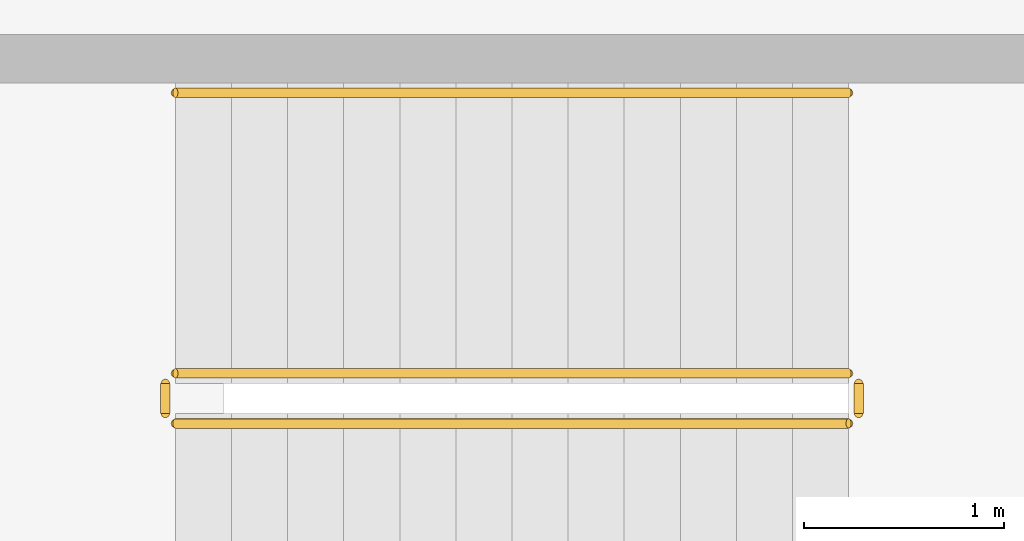
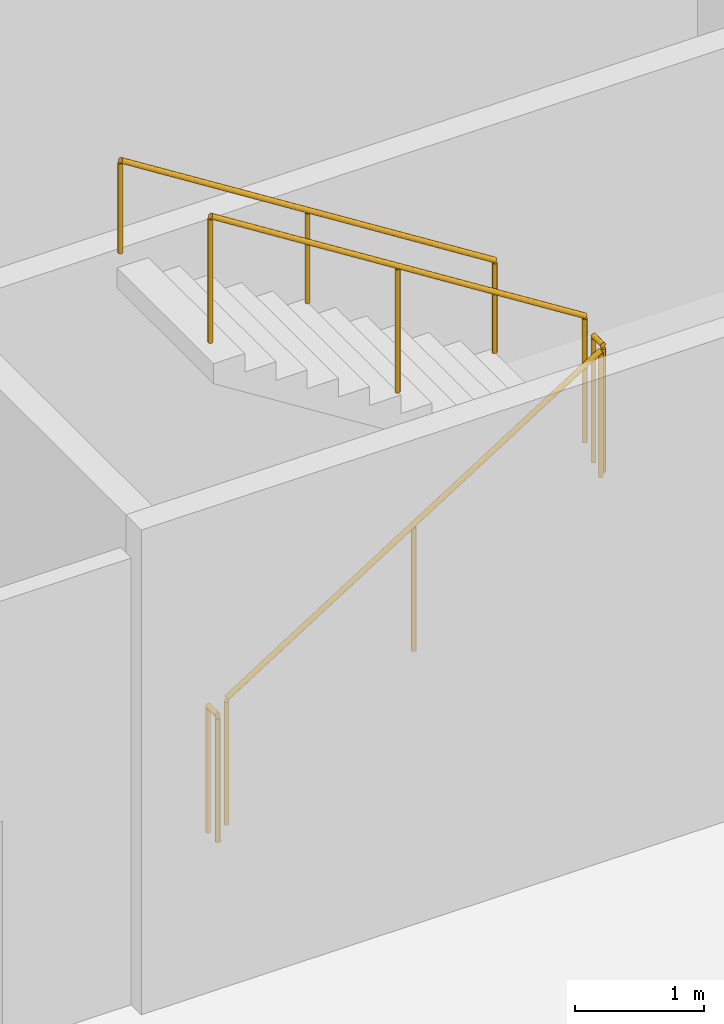
# One storey, part 7 of 8: 5 railings.
"""IFC4 building model written with IfcOpenShell, lengths in metres."""

from ifc_helpers import new_model, si_unit, direction, frame, origin, origin_2d, place, context, subcontext, project, spatial, circle, extrude, material, type_object, element, save


model = new_model("IFC4")

# Units and contexts
model_context = context("Model", 3, precision=1e-05, world=origin(), true_north=direction((0.0, 1.0)))
body_context = subcontext(model_context, "Body", "Model", "MODEL_VIEW")
ifc_project = project(units=[si_unit("LENGTHUNIT", "METRE"), si_unit("AREAUNIT", "SQUARE_METRE"), si_unit("VOLUMEUNIT", "CUBIC_METRE"), si_unit("PLANEANGLEUNIT", "RADIAN"), si_unit("MASSUNIT", "GRAM", prefix="KILO")], contexts=[model_context])

# Site, building, storey
site_placement = place(None, origin())
site = spatial("IfcSite", under=ifc_project, at=site_placement, CompositionType="ELEMENT")
building_placement = place(site_placement, origin())
building = spatial("IfcBuilding", under=site, at=building_placement, Name="Qianrong Seaharbour Tower", CompositionType="ELEMENT")
storey_placement = place(building_placement, frame((0.0, 0.0, -9.199951171875)))
storey = spatial("IfcBuildingStorey", under=building, at=storey_placement, Name="B02", CompositionType="ELEMENT", Elevation=-9.199951171875)

# Railings
ifc_material_1 = material(Name="Galvanized painted steel SN400B stair guard", Category="steel")
railing_type_1 = type_object("IfcRailingType", Name="RAIL-STAIR-GUARD-1220", PredefinedType="GUARDRAIL", material=ifc_material_1)
railing_1_placement = place(storey_placement, frame((33.300048828125, 45.64990234375, 0.1767578125)))
element("IfcRailing", 1, at=railing_1_placement, inside=storey, type_object=railing_type_1, Name="B02 BST-1 stair guard 1", PredefinedType="GUARDRAIL", context=body_context, shape_type="SweptSolid", body=[
    extrude(circle(Radius=0.02392578125, at=origin_2d()), frame((0.0, 0.0, 1.19580078125), z_axis=(0.845344368971, 0.0, 0.534221768416), x_axis=(0.0, 1.0, 0.0)), (0.0, 0.0, 1.0), 3.974609375),
    extrude(circle(Radius=0.02099609375, at=origin_2d()), origin(), (0.0, 0.0, 1.0), 1.171875),
    extrude(circle(Radius=0.02099609375, at=origin_2d()), frame((1.679931640625, 0.0, 1.0615234375)), (0.0, 0.0, 1.0), 1.171875),
    extrude(circle(Radius=0.02099609375, at=origin_2d()), frame((3.35986328125, 0.0, 2.123291015625)), (0.0, 0.0, 1.0), 1.171875),
])
railing_2_placement = place(storey_placement, frame((36.7099609375, 45.699951171875, 2.300048828125)))
element("IfcRailing", 2, at=railing_2_placement, inside=storey, type_object=railing_type_1, Name="B02 BST-1 stair guard 2", PredefinedType="GUARDRAIL", context=body_context, shape_type="SweptSolid", body=[
    extrude(circle(Radius=0.02392578125, at=origin_2d()), frame((0.0, 0.0, 1.19580078125), z_axis=(0.0, 1.0, 0.0), x_axis=(-1.0, 0.0, 0.0)), (0.0, 0.0, 1.0), 0.150146484375),
    extrude(circle(Radius=0.02099609375, at=origin_2d()), origin(), (0.0, 0.0, 1.0), 1.171875),
    extrude(circle(Radius=0.02099609375, at=origin_2d()), frame((0.0, 0.150146484375, 0.0)), (0.0, 0.0, 1.0), 1.171875),
])
railing_3_placement = place(storey_placement, frame((36.659912109375, 45.89990234375, 2.476806640625)))
element("IfcRailing", 3, at=railing_3_placement, inside=storey, type_object=railing_type_1, Name="B02 BST-1 stair guard 3", PredefinedType="GUARDRAIL", context=body_context, shape_type="SweptSolid", body=[
    extrude(circle(Radius=0.02392578125, at=origin_2d()), frame((0.0, 0.0, 1.19580078125), z_axis=(-0.845372108799, 0.0, 0.534177870812), x_axis=(0.0, -1.0, 0.0)), (0.0, 0.0, 1.0), 3.974365234375),
    extrude(circle(Radius=0.02099609375, at=origin_2d()), origin(), (0.0, 0.0, 1.0), 1.171875),
    extrude(circle(Radius=0.02099609375, at=origin_2d()), frame((-1.679931640625, 0.0, 1.0615234375)), (0.0, 0.0, 1.0), 1.171875),
    extrude(circle(Radius=0.02099609375, at=origin_2d()), frame((-3.35986328125, 0.0, 2.123046875)), (0.0, 0.0, 1.0), 1.171875),
])
railing_4_placement = place(storey_placement, frame((33.25, 45.699951171875, 0.0)))
element("IfcRailing", 4, at=railing_4_placement, inside=storey, type_object=railing_type_1, Name="B02 BST-1 stair guard 4", PredefinedType="GUARDRAIL", context=body_context, shape_type="SweptSolid", body=[
    extrude(circle(Radius=0.02392578125, at=origin_2d()), frame((0.0, 0.0, 1.19580078125), z_axis=(0.0, 1.0, 0.0), x_axis=(-1.0, 0.0, 0.0)), (0.0, 0.0, 1.0), 0.150146484375),
    extrude(circle(Radius=0.02099609375, at=origin_2d()), origin(), (0.0, 0.0, 1.0), 1.171875),
    extrude(circle(Radius=0.02099609375, at=origin_2d()), frame((0.0, 0.150146484375, 0.0)), (0.0, 0.0, 1.0), 1.171875),
])
ifc_material_2 = material(Name="Stainless steel SUS316L continuous handrail", Category="steel")
railing_type_2 = type_object("IfcRailingType", Name="RAIL-STAIR-HANDRAIL-900", PredefinedType="HANDRAIL", material=ifc_material_2)
railing_5_placement = place(storey_placement, frame((36.659912109375, 47.300048828125, 2.476806640625)))
element("IfcRailing", 5, at=railing_5_placement, inside=storey, type_object=railing_type_2, Name="B02 BST-1 stair handrail 2", PredefinedType="HANDRAIL", context=body_context, shape_type="SweptSolid", body=[
    extrude(circle(Radius=0.02392578125, at=origin_2d()), frame((0.0, 0.0, 0.8759765625), z_axis=(-0.845372108799, 0.0, 0.534177870812), x_axis=(0.0, -1.0, 0.0)), (0.0, 0.0, 1.0), 3.974365234375),
    extrude(circle(Radius=0.02099609375, at=origin_2d()), origin(), (0.0, 0.0, 1.0), 0.851806640625),
    extrude(circle(Radius=0.02099609375, at=origin_2d()), frame((-1.679931640625, 0.0, 1.0615234375)), (0.0, 0.0, 1.0), 0.851806640625),
    extrude(circle(Radius=0.02099609375, at=origin_2d()), frame((-3.35986328125, 0.0, 2.123046875)), (0.0, 0.0, 1.0), 0.851806640625),
])

save(model, "model.ifc")
